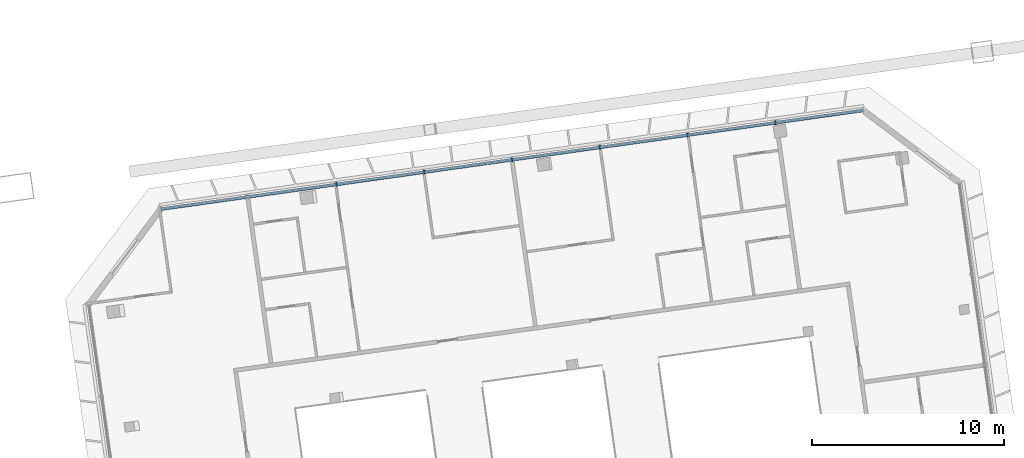
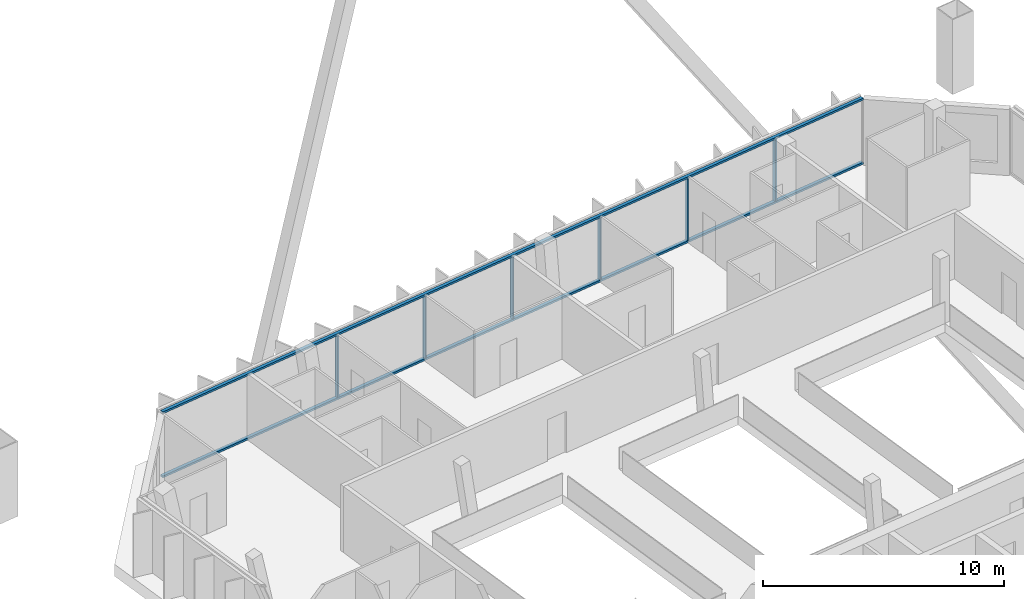
# One storey, part 15 of 28: 8 members, 1 element without a shape of its own.
"""IFC4 building model written with IfcOpenShell, lengths in metres."""

from ifc_helpers import new_model, si_unit, direction, frame, origin, origin_2d, place, context, subcontext, project, spatial, rectangle, extrude, material, material_profile, profile_set, type_object, element, aggregate, save


model = new_model("IFC4")

# Units and contexts
model_context = context("Model", 3, precision=1e-05, world=origin(), true_north=direction((0.0, 1.0)))
body_context = subcontext(model_context, "Body", "Model", "MODEL_VIEW")
ifc_project = project(units=[si_unit("LENGTHUNIT", "METRE"), si_unit("AREAUNIT", "SQUARE_METRE"), si_unit("VOLUMEUNIT", "CUBIC_METRE"), si_unit("PLANEANGLEUNIT", "RADIAN"), si_unit("MASSUNIT", "GRAM", prefix="KILO")], contexts=[model_context])

# Site, building, storey
site_placement = place(None, origin())
site = spatial("IfcSite", under=ifc_project, at=site_placement, CompositionType="ELEMENT")
building_placement = place(site_placement, origin())
building = spatial("IfcBuilding", under=site, at=building_placement, Name="Mirante Cascada Hotel Towers", CompositionType="ELEMENT")
storey_placement = place(building_placement, frame((0.0, 0.0, 243.2)))
storey = spatial("IfcBuildingStorey", under=building, at=storey_placement, Name="L58", CompositionType="ELEMENT", Elevation=243.2)

# Curtain wall, members
ifc_material_1 = material(Name="Aluminium mullion and transom frame with clear laminated glass", Category="aluminium")
curtain_wall_type = type_object("IfcCurtainWallType", Name="Ribbon curtain wall ECW1", PredefinedType="NOTDEFINED", material=ifc_material_1)
curtain_wall_placement = place(storey_placement, origin())
curtain_wall = element("IfcCurtainWall", 1, at=curtain_wall_placement, inside=storey, type_object=curtain_wall_type, Name="Front ribbon wall T2 L58", PredefinedType="NOTDEFINED")
ifc_material_2 = material(Name="Anodised aluminium extrusion", Category="aluminium")
ifc_material_profile_1 = material_profile(ifc_material_2, rectangle(XDim=0.2, YDim=0.065, at=origin_2d()), Name="ECW1 MULLION 65x200")
ifc_profile_set_1 = profile_set([ifc_material_profile_1], Name="Anodised aluminium extrusion")
member_type_1 = type_object("IfcMemberType", Name="ECW1 mullion 65x200", PredefinedType="MULLION", material=ifc_profile_set_1)
member_1_placement = place(storey_placement, frame((53.9377, 20.3995, 0.1), z_axis=(0.0, 0.0, 1.0), x_axis=(0.1391731, -0.9902681, 0.0)))
member_1 = element("IfcMember", 2, at=member_1_placement, type_object=member_type_1, Name="ECW1 mullion 2", PredefinedType="MULLION", context=body_context, shape_type="SweptSolid", body=[
    extrude(rectangle(XDim=0.2, YDim=0.065, at=origin_2d()), origin(), (0.0, 0.0, 1.0), 3.15),
])
member_2_placement = place(storey_placement, frame((49.3669, 19.7571, 0.1), z_axis=(0.0, 0.0, 1.0), x_axis=(0.1391731, -0.9902681, 0.0)))
member_2 = element("IfcMember", 3, at=member_2_placement, type_object=member_type_1, Name="ECW1 mullion 3", PredefinedType="MULLION", context=body_context, shape_type="SweptSolid", body=[
    extrude(rectangle(XDim=0.2, YDim=0.065, at=origin_2d()), origin(), (0.0, 0.0, 1.0), 3.15),
])
member_3_placement = place(storey_placement, frame((44.7961, 19.1147, 0.1), z_axis=(0.0, 0.0, 1.0), x_axis=(0.1391731, -0.9902681, 0.0)))
member_3 = element("IfcMember", 4, at=member_3_placement, type_object=member_type_1, Name="ECW1 mullion 4", PredefinedType="MULLION", context=body_context, shape_type="SweptSolid", body=[
    extrude(rectangle(XDim=0.2, YDim=0.065, at=origin_2d()), origin(), (0.0, 0.0, 1.0), 3.15),
])
member_4_placement = place(storey_placement, frame((40.2253, 18.4723, 0.1), z_axis=(0.0, 0.0, 1.0), x_axis=(0.1391731, -0.9902681, 0.0)))
member_4 = element("IfcMember", 5, at=member_4_placement, type_object=member_type_1, Name="ECW1 mullion 5", PredefinedType="MULLION", context=body_context, shape_type="SweptSolid", body=[
    extrude(rectangle(XDim=0.2, YDim=0.065, at=origin_2d()), origin(), (0.0, 0.0, 1.0), 3.15),
])
member_5_placement = place(storey_placement, frame((35.6545, 17.8299, 0.1), z_axis=(0.0, 0.0, 1.0), x_axis=(0.1391731, -0.9902681, 0.0)))
member_5 = element("IfcMember", 6, at=member_5_placement, type_object=member_type_1, Name="ECW1 mullion 6", PredefinedType="MULLION", context=body_context, shape_type="SweptSolid", body=[
    extrude(rectangle(XDim=0.2, YDim=0.065, at=origin_2d()), origin(), (0.0, 0.0, 1.0), 3.15),
])
member_6_placement = place(storey_placement, frame((31.0837, 17.1876, 0.1), z_axis=(0.0, 0.0, 1.0), x_axis=(0.1391731, -0.9902681, 0.0)))
member_6 = element("IfcMember", 7, at=member_6_placement, type_object=member_type_1, Name="ECW1 mullion 7", PredefinedType="MULLION", context=body_context, shape_type="SweptSolid", body=[
    extrude(rectangle(XDim=0.2, YDim=0.065, at=origin_2d()), origin(), (0.0, 0.0, 1.0), 3.15),
])
ifc_material_3 = material(Name="Anodised aluminium extrusion", Category="aluminium")
ifc_material_profile_2 = material_profile(ifc_material_3, rectangle(XDim=0.16, YDim=0.1, at=origin_2d()), Name="ECW1 TRANSOM 100x160")
ifc_profile_set_2 = profile_set([ifc_material_profile_2], Name="Anodised aluminium extrusion")
member_type_2 = type_object("IfcMemberType", Name="ECW1 transom 100x160", PredefinedType="USERDEFINED", material=ifc_profile_set_2)
member_7_placement = place(storey_placement, frame((58.5085, 21.0419, 0.05), z_axis=(-0.990268, -0.1391738, 0.0), x_axis=(0.1391738, -0.990268, 0.0)))
member_7 = element("IfcMember", 8, at=member_7_placement, type_object=member_type_2, Name="ECW1 sill transom", ObjectType="TRANSOM", PredefinedType="USERDEFINED", context=body_context, shape_type="SweptSolid", body=[
    extrude(rectangle(XDim=0.16, YDim=0.1, at=origin_2d()), origin(), (0.0, 0.0, 1.0), 36.9258),
])
member_8_placement = place(storey_placement, frame((58.5085, 21.0419, 3.3), z_axis=(-0.990268, -0.1391738, 0.0), x_axis=(0.1391738, -0.990268, 0.0)))
member_8 = element("IfcMember", 9, at=member_8_placement, type_object=member_type_2, Name="ECW1 head transom", ObjectType="TRANSOM", PredefinedType="USERDEFINED", context=body_context, shape_type="SweptSolid", body=[
    extrude(rectangle(XDim=0.16, YDim=0.1, at=origin_2d()), origin(), (0.0, 0.0, 1.0), 36.9258),
])
aggregate(curtain_wall, [member_7, member_8, member_1, member_2, member_3, member_4, member_5, member_6])

save(model, "model.ifc")
